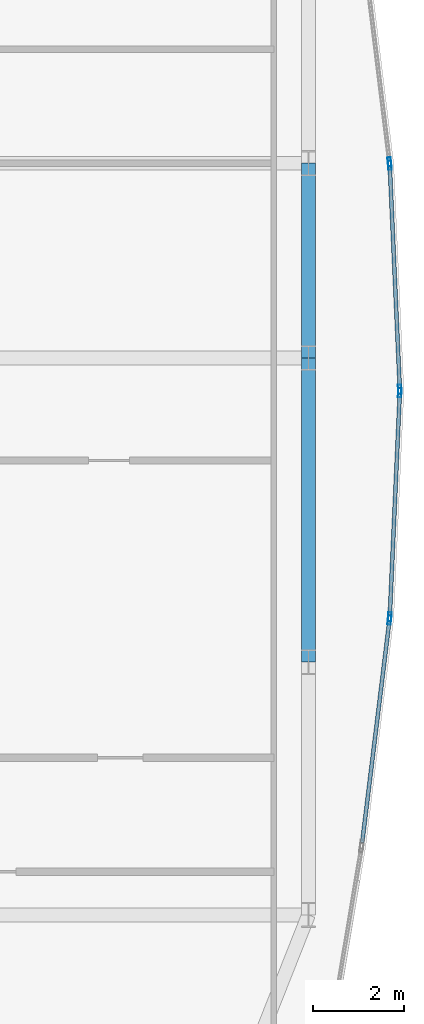
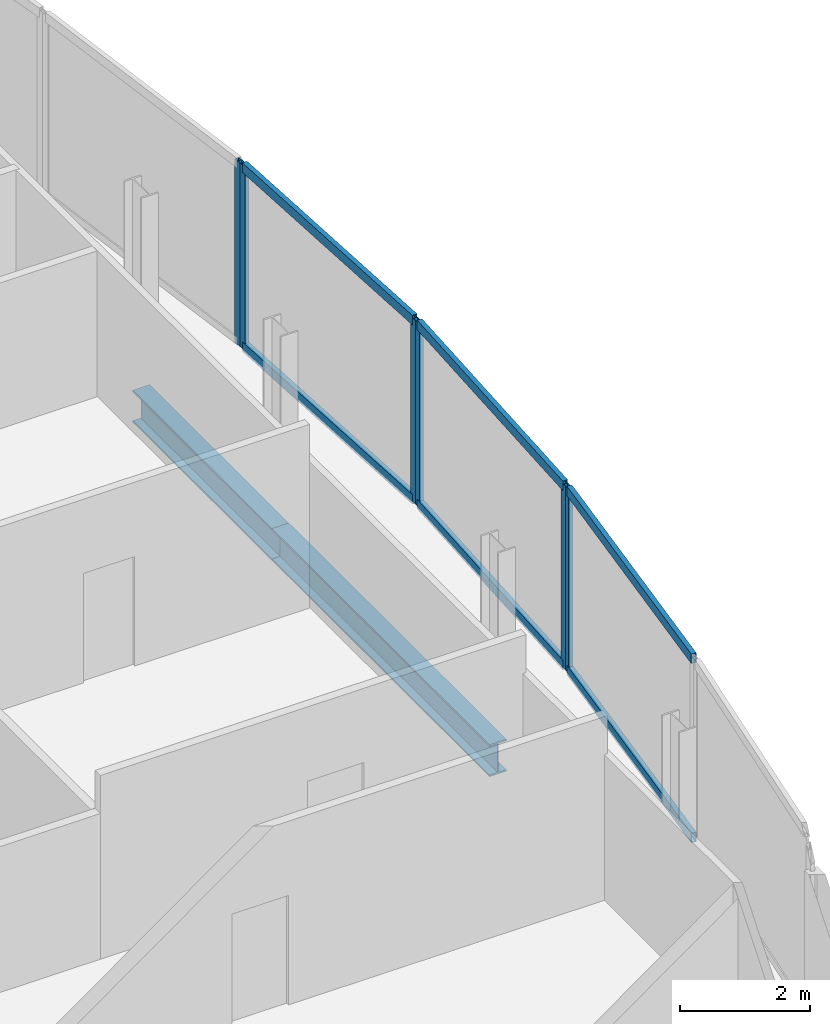
# One storey, part 22 of 31: 12 members, 2 beams, 4 elements without a shape of their own.
"""IFC4 building model written with IfcOpenShell, lengths in metres."""

from ifc_helpers import new_model, si_unit, direction, frame, origin, origin_2d, place, context, subcontext, project, spatial, hollow_rectangle, i_section, extrude, material, material_profile, profile_set, type_object, element, aggregate, save


model = new_model("IFC4")

# Units and contexts
model_context = context("Model", 3, precision=1e-05, world=origin(), true_north=direction((0.0, 1.0)))
body_context = subcontext(model_context, "Body", "Model", "MODEL_VIEW")
ifc_project = project(units=[si_unit("LENGTHUNIT", "METRE"), si_unit("AREAUNIT", "SQUARE_METRE"), si_unit("VOLUMEUNIT", "CUBIC_METRE"), si_unit("PLANEANGLEUNIT", "RADIAN"), si_unit("MASSUNIT", "GRAM", prefix="KILO")], contexts=[model_context])

# Site, building, storey
site_placement = place(None, origin())
site = spatial("IfcSite", under=ifc_project, at=site_placement, CompositionType="ELEMENT")
building_placement = place(site_placement, origin())
building = spatial("IfcBuilding", under=site, at=building_placement, Name="Khoronbel Lancet Exchange", CompositionType="ELEMENT")
storey_placement = place(building_placement, frame((0.0, 0.0, 121.800048828125)))
storey = spatial("IfcBuildingStorey", under=building, at=storey_placement, Name="L29", CompositionType="ELEMENT", Elevation=121.800048828125)

# Beams
ifc_material_1 = material(Name="Steel S355", Category="steel")
ifc_material_profile_1 = material_profile(ifc_material_1, i_section(OverallWidth=0.300048828125, OverallDepth=0.60009765625, WebThickness=0.015380859375, FlangeThickness=0.030029296875, at=origin_2d()), Name="HEB 600")
ifc_profile_set_1 = profile_set([ifc_material_profile_1], Name="Steel S355")
beam_type = type_object("IfcBeamType", Name="BM-BSP2", PredefinedType="SPANDREL", material=ifc_profile_set_1)
beam_1_placement = place(storey_placement, frame((69.6298828125, 24.75, -0.4599609375), z_axis=(0.0, 1.0, 0.0), x_axis=(-1.0, 0.0, 0.0)))
element("IfcBeam", 1, at=beam_1_placement, inside=storey, type_object=beam_type, Name="Level L29 perimeter spandrel beam SP12", PredefinedType="SPANDREL", context=body_context, shape_type="SweptSolid", body=[
    extrude(i_section(OverallWidth=0.300048828125, OverallDepth=0.60009765625, WebThickness=0.015380859375, FlangeThickness=0.030029296875, at=origin_2d()), origin(), (0.0, 0.0, 1.0), 6.675048828125),
])
beam_2_placement = place(storey_placement, frame((69.6298828125, 31.425048828125, -0.4599609375), z_axis=(0.0, 1.0, 0.0), x_axis=(-1.0, 0.0, 0.0)))
element("IfcBeam", 2, at=beam_2_placement, inside=storey, type_object=beam_type, Name="Level L29 perimeter spandrel beam SP13", PredefinedType="SPANDREL", context=body_context, shape_type="SweptSolid", body=[
    extrude(i_section(OverallWidth=0.300048828125, OverallDepth=0.60009765625, WebThickness=0.015380859375, FlangeThickness=0.030029296875, at=origin_2d()), origin(), (0.0, 0.0, 1.0), 4.27490234375),
])

# Curtain wall, member
ifc_material_2 = material(Name="Low-E Solar Control Insulating Glass", Category="glass")
curtain_wall_type = type_object("IfcCurtainWallType", Name="CW-4", PredefinedType="NOTDEFINED", material=ifc_material_2)
curtain_wall_1_placement = place(storey_placement, origin())
curtain_wall_1 = element("IfcCurtainWall", 3, at=curtain_wall_1_placement, inside=storey, type_object=curtain_wall_type, Name="Unitised curtain wall CW-L29-E18", PredefinedType="NOTDEFINED")
ifc_material_3 = material(Name="Bronze-Anodised Aluminium 6063-T6", Category="aluminium")
ifc_material_profile_2 = material_profile(ifc_material_3, hollow_rectangle(XDim=0.074951171875, YDim=0.199951171875, WallThickness=0.0048828125, at=origin_2d()), Name="ALU MULLION 75x200")
ifc_profile_set_2 = profile_set([ifc_material_profile_2], Name="Bronze-Anodised Aluminium 6063-T6")
member_type_1 = type_object("IfcMemberType", Name="MEM-CWM2", PredefinedType="MULLION", material=ifc_profile_set_2)
member_1_placement = place(storey_placement, frame((71.4072265625, 35.729736328125, 0.0), z_axis=(0.0, 0.0, 1.0), x_axis=(0.992557199503, 0.121779332051, 0.0)))
member_1 = element("IfcMember", 4, at=member_1_placement, type_object=member_type_1, Name="CW4 mullion 2", PredefinedType="MULLION", context=body_context, shape_type="SweptSolid", body=[
    extrude(hollow_rectangle(XDim=0.074951171875, YDim=0.199951171875, WallThickness=0.0048828125, at=origin_2d()), origin(), (0.0, 0.0, 1.0), 3.43994140625),
])
aggregate(curtain_wall_1, [member_1])

# Curtain wall, members
curtain_wall_2_placement = place(storey_placement, origin())
curtain_wall_2 = element("IfcCurtainWall", 5, at=curtain_wall_2_placement, inside=storey, type_object=curtain_wall_type, Name="Unitised curtain wall CW-L29-E19", PredefinedType="NOTDEFINED")
member_2_placement = place(storey_placement, frame((71.413330078125, 35.655029296875, 0.0), z_axis=(0.0, 0.0, 1.0), x_axis=(0.998993187014, 0.044862147736, 0.0)))
member_2 = element("IfcMember", 6, at=member_2_placement, type_object=member_type_1, Name="CW4 mullion 1", PredefinedType="MULLION", context=body_context, shape_type="SweptSolid", body=[
    extrude(hollow_rectangle(XDim=0.074951171875, YDim=0.199951171875, WallThickness=0.0048828125, at=origin_2d()), origin(), (0.0, 0.0, 1.0), 3.43994140625),
])
member_3_placement = place(storey_placement, frame((71.63427734375, 30.737548828125, 0.0), z_axis=(0.0, 0.0, 1.0), x_axis=(0.998993187014, 0.044862147736, 0.0)))
member_3 = element("IfcMember", 7, at=member_3_placement, type_object=member_type_1, Name="CW4 mullion 2", PredefinedType="MULLION", context=body_context, shape_type="SweptSolid", body=[
    extrude(hollow_rectangle(XDim=0.074951171875, YDim=0.199951171875, WallThickness=0.0048828125, at=origin_2d()), origin(), (0.0, 0.0, 1.0), 3.43994140625),
])

curtain_wall_3_placement = place(storey_placement, origin())
curtain_wall_3 = element("IfcCurtainWall", 8, at=curtain_wall_3_placement, inside=storey, type_object=curtain_wall_type, Name="Unitised curtain wall CW-L29-E20", PredefinedType="NOTDEFINED")
member_4_placement = place(storey_placement, frame((71.63427734375, 30.66259765625, 0.0), z_axis=(0.0, 0.0, 1.0), x_axis=(0.998993187014, -0.044862147736, 0.0)))
member_4 = element("IfcMember", 9, at=member_4_placement, type_object=member_type_1, Name="CW4 mullion 1", PredefinedType="MULLION", context=body_context, shape_type="SweptSolid", body=[
    extrude(hollow_rectangle(XDim=0.074951171875, YDim=0.199951171875, WallThickness=0.0048828125, at=origin_2d()), origin(), (0.0, 0.0, 1.0), 3.43994140625),
])
member_5_placement = place(storey_placement, frame((71.413330078125, 25.744873046875, 0.0), z_axis=(0.0, 0.0, 1.0), x_axis=(0.998993187014, -0.044862147736, 0.0)))
member_5 = element("IfcMember", 10, at=member_5_placement, type_object=member_type_1, Name="CW4 mullion 2", PredefinedType="MULLION", context=body_context, shape_type="SweptSolid", body=[
    extrude(hollow_rectangle(XDim=0.074951171875, YDim=0.199951171875, WallThickness=0.0048828125, at=origin_2d()), origin(), (0.0, 0.0, 1.0), 3.43994140625),
])

# Curtain wall, member
curtain_wall_4_placement = place(storey_placement, origin())
curtain_wall_4 = element("IfcCurtainWall", 11, at=curtain_wall_4_placement, inside=storey, type_object=curtain_wall_type, Name="Unitised curtain wall CW-L29-E21", PredefinedType="NOTDEFINED")
member_6_placement = place(storey_placement, frame((71.4072265625, 25.670166015625, 0.0), z_axis=(0.0, 0.0, 1.0), x_axis=(0.992557199503, -0.121779332051, 0.0)))
member_6 = element("IfcMember", 12, at=member_6_placement, type_object=member_type_1, Name="CW4 mullion 1", PredefinedType="MULLION", context=body_context, shape_type="SweptSolid", body=[
    extrude(hollow_rectangle(XDim=0.074951171875, YDim=0.199951171875, WallThickness=0.0048828125, at=origin_2d()), origin(), (0.0, 0.0, 1.0), 3.43994140625),
])

# Member
ifc_material_profile_3 = material_profile(ifc_material_3, hollow_rectangle(XDim=0.0849609375, YDim=0.179931640625, WallThickness=0.0048828125, at=origin_2d()), Name="ALU TRANSOM 85x180")
ifc_profile_set_3 = profile_set([ifc_material_profile_3], Name="Bronze-Anodised Aluminium 6063-T6")
member_type_2 = type_object("IfcMemberType", Name="MEM-CWT1", PredefinedType="USERDEFINED", material=ifc_profile_set_3)
member_7_placement = place(storey_placement, frame((71.4150390625, 35.61767578125, 0.04248046875), z_axis=(0.044873083888, -0.99899269584, 0.0), x_axis=(0.99899269584, 0.044873083888, 0.0)))
member_7 = element("IfcMember", 13, at=member_7_placement, type_object=member_type_2, Name="CW4 transom 1.1", ObjectType="TRANSOM", PredefinedType="USERDEFINED", context=body_context, shape_type="SweptSolid", body=[
    extrude(hollow_rectangle(XDim=0.0849609375, YDim=0.179931640625, WallThickness=0.0048828125, at=origin_2d()), origin(), (0.0, 0.0, 1.0), 4.84765625),
])

member_8_placement = place(storey_placement, frame((71.4150390625, 35.61767578125, 3.3974609375), z_axis=(0.044873083888, -0.99899269584, 0.0), x_axis=(0.99899269584, 0.044873083888, 0.0)))
member_8 = element("IfcMember", 14, at=member_8_placement, type_object=member_type_2, Name="CW4 transom 1.2", ObjectType="TRANSOM", PredefinedType="USERDEFINED", context=body_context, shape_type="SweptSolid", body=[
    extrude(hollow_rectangle(XDim=0.0849609375, YDim=0.179931640625, WallThickness=0.0048828125, at=origin_2d()), origin(), (0.0, 0.0, 1.0), 4.84765625),
])

aggregate(curtain_wall_2, [member_2, member_3, member_7, member_8])

member_9_placement = place(storey_placement, frame((71.632568359375, 30.625, 0.04248046875), z_axis=(-0.04487534165, -0.998992594423, 0.0), x_axis=(0.998992594423, -0.04487534165, 0.0)))
member_9 = element("IfcMember", 15, at=member_9_placement, type_object=member_type_2, Name="CW4 transom 1.1", ObjectType="TRANSOM", PredefinedType="USERDEFINED", context=body_context, shape_type="SweptSolid", body=[
    extrude(hollow_rectangle(XDim=0.0849609375, YDim=0.179931640625, WallThickness=0.0048828125, at=origin_2d()), origin(), (0.0, 0.0, 1.0), 4.847412109375),
])

member_10_placement = place(storey_placement, frame((71.632568359375, 30.625, 3.3974609375), z_axis=(-0.04487534165, -0.998992594423, 0.0), x_axis=(0.998992594423, -0.04487534165, 0.0)))
member_10 = element("IfcMember", 16, at=member_10_placement, type_object=member_type_2, Name="CW4 transom 1.2", ObjectType="TRANSOM", PredefinedType="USERDEFINED", context=body_context, shape_type="SweptSolid", body=[
    extrude(hollow_rectangle(XDim=0.0849609375, YDim=0.179931640625, WallThickness=0.0048828125, at=origin_2d()), origin(), (0.0, 0.0, 1.0), 4.847412109375),
])

aggregate(curtain_wall_3, [member_4, member_5, member_9, member_10])

member_11_placement = place(storey_placement, frame((71.402587890625, 25.633056640625, 0.04248046875), z_axis=(-0.121769434583, -0.992558413798, 0.0), x_axis=(0.992558413798, -0.121769434583, 0.0)))
member_11 = element("IfcMember", 17, at=member_11_placement, type_object=member_type_2, Name="CW4 transom 1.1", ObjectType="TRANSOM", PredefinedType="USERDEFINED", context=body_context, shape_type="SweptSolid", body=[
    extrude(hollow_rectangle(XDim=0.0849609375, YDim=0.179931640625, WallThickness=0.0048828125, at=origin_2d()), origin(), (0.0, 0.0, 1.0), 4.882080078125),
])

member_12_placement = place(storey_placement, frame((71.402587890625, 25.633056640625, 3.3974609375), z_axis=(-0.121769434583, -0.992558413798, 0.0), x_axis=(0.992558413798, -0.121769434583, 0.0)))
member_12 = element("IfcMember", 18, at=member_12_placement, type_object=member_type_2, Name="CW4 transom 1.2", ObjectType="TRANSOM", PredefinedType="USERDEFINED", context=body_context, shape_type="SweptSolid", body=[
    extrude(hollow_rectangle(XDim=0.0849609375, YDim=0.179931640625, WallThickness=0.0048828125, at=origin_2d()), origin(), (0.0, 0.0, 1.0), 4.882080078125),
])

aggregate(curtain_wall_4, [member_6, member_11, member_12])

save(model, "model.ifc")
